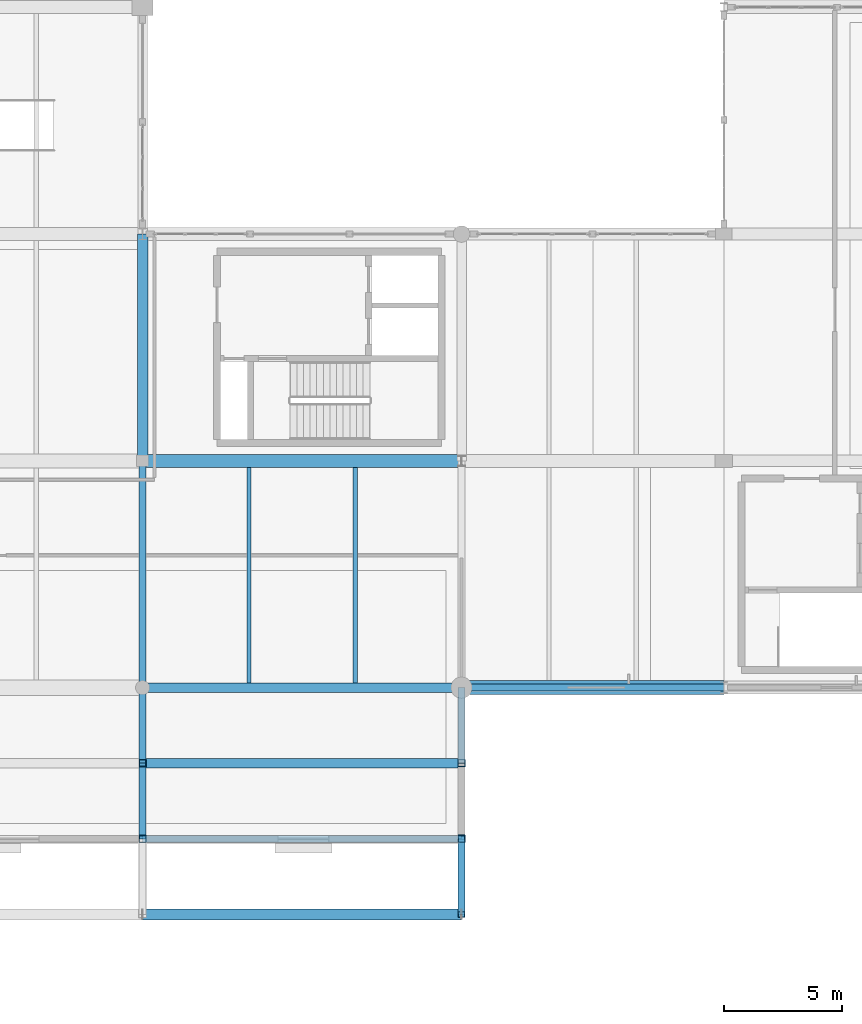
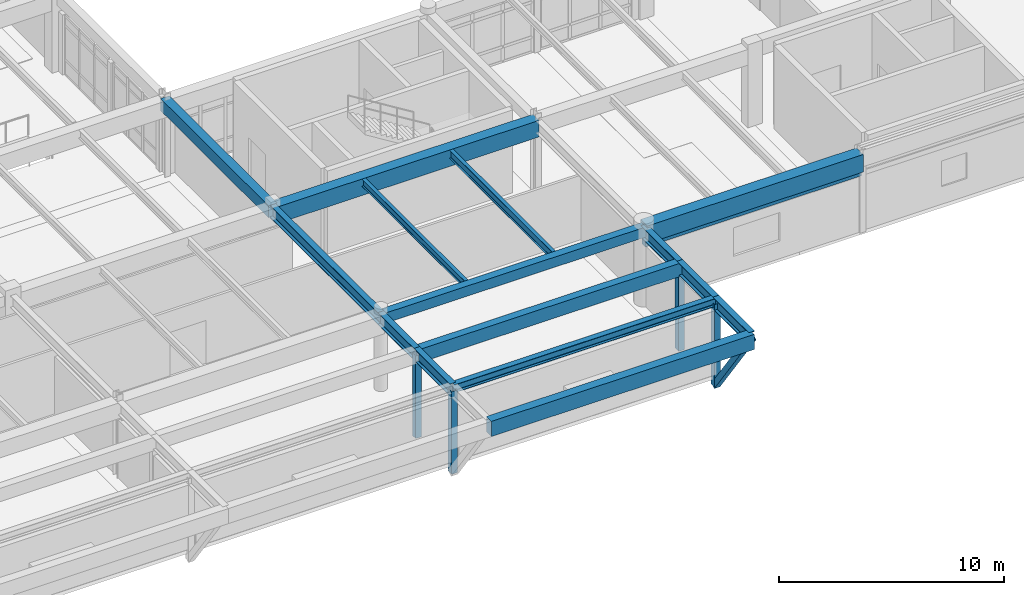
# One storey, part 24 of 80: 16 beams, 5 members.
"""IFC4 building model written with IfcOpenShell, lengths in metres."""

from ifc_helpers import new_model, si_unit, direction, frame, origin, origin_2d, place, context, subcontext, project, spatial, rectangle, hollow_rectangle, i_section, extrude, material, material_profile, profile_set, type_object, element, save


model = new_model("IFC4")

# Units and contexts
model_context = context("Model", 3, precision=1e-05, world=origin(), true_north=direction((0.0, 1.0)))
body_context = subcontext(model_context, "Body", "Model", "MODEL_VIEW")
ifc_project = project(units=[si_unit("LENGTHUNIT", "METRE"), si_unit("AREAUNIT", "SQUARE_METRE"), si_unit("VOLUMEUNIT", "CUBIC_METRE"), si_unit("PLANEANGLEUNIT", "RADIAN"), si_unit("MASSUNIT", "GRAM", prefix="KILO")], contexts=[model_context])

# Site, building, storey
site_placement = place(None, origin())
site = spatial("IfcSite", under=ifc_project, at=site_placement, CompositionType="ELEMENT")
building_placement = place(site_placement, origin())
building = spatial("IfcBuilding", under=site, at=building_placement, Name="Fikremerkos Civic Library", CompositionType="ELEMENT")
storey_placement = place(building_placement, frame((0.0, 0.0, 9.89990234375)))
storey = spatial("IfcBuildingStorey", under=building, at=storey_placement, Name="L02", CompositionType="ELEMENT", Elevation=9.89990234375)

# Beams
ifc_material_1 = material(Name="Steel S355", Category="steel")
ifc_material_profile_1 = material_profile(ifc_material_1, i_section(OverallWidth=0.18994140625, OverallDepth=0.449951171875, WebThickness=0.009521484375, FlangeThickness=0.0146484375, FilletRadius=0.02099609375, at=origin_2d()), Name="IPE 450")
ifc_profile_set_1 = profile_set([ifc_material_profile_1], Name="Steel S355")
beam_type_1 = type_object("IfcBeamType", Name="Floor joist JS-07 IPE 450", PredefinedType="JOIST", material=ifc_profile_set_1)
beam_1_placement = place(storey_placement, frame((109.199951171875, 12.199951171875, 3.93505859375), z_axis=(0.0, 1.0, 0.0), x_axis=(-1.0, 0.0, 0.0)))
element("IfcBeam", 1, at=beam_1_placement, inside=storey, type_object=beam_type_1, Name="Floor joist JS-07 L02 #519", PredefinedType="JOIST", context=body_context, shape_type="SweptSolid", body=[
    extrude(i_section(OverallWidth=0.18994140625, OverallDepth=0.449951171875, WebThickness=0.009521484375, FlangeThickness=0.0146484375, FilletRadius=0.02099609375, at=origin_2d()), origin(), (0.0, 0.0, 1.0), 9.125),
])
ifc_material_profile_2 = material_profile(ifc_material_1, i_section(OverallWidth=0.179931640625, OverallDepth=0.39990234375, WebThickness=0.008544921875, FlangeThickness=0.013427734375, FilletRadius=0.02099609375, at=origin_2d()), Name="IPE 400")
ifc_profile_set_2 = profile_set([ifc_material_profile_2], Name="Steel S355")
beam_type_2 = type_object("IfcBeamType", Name="Floor joist JS-08 IPE 400", PredefinedType="JOIST", material=ifc_profile_set_2)
beam_2_placement = place(storey_placement, frame((104.699951171875, 12.199951171875, 3.960205078125), z_axis=(0.0, 1.0, 0.0), x_axis=(-1.0, 0.0, 0.0)))
element("IfcBeam", 2, at=beam_2_placement, inside=storey, type_object=beam_type_2, Name="Floor joist JS-08 L02 #518", PredefinedType="JOIST", context=body_context, shape_type="SweptSolid", body=[
    extrude(i_section(OverallWidth=0.179931640625, OverallDepth=0.39990234375, WebThickness=0.008544921875, FlangeThickness=0.013427734375, FilletRadius=0.02099609375, at=origin_2d()), origin(), (0.0, 0.0, 1.0), 9.125),
])

# Members
ifc_material_profile_3 = material_profile(ifc_material_1, hollow_rectangle(XDim=0.300048828125, YDim=0.300048828125, WallThickness=0.012451171875, at=origin_2d()), Name="SHS 300x300x12.5")
ifc_profile_set_3 = profile_set([ifc_material_profile_3], Name="Steel S355")
member_type_1 = type_object("IfcMemberType", Name="Frame post PST-01 SHS 300x300x12.5", PredefinedType="POST", material=ifc_profile_set_3)
for number, where, z_axis, x_axis, name in (
    (3, (100.199951171875, 8.800048828125, -0.64501953125), (0.0, 0.0, 1.0), (1.0, 0.0, 0.0), "Cantilever frame post PST-01 L02 X=100.2 Y=8.8"),
    (4, (100.199951171875, 5.60009765625, -0.64501953125), (0.0, 0.0, 1.0), (1.0, 0.0, 0.0), "Cantilever frame post PST-01 L02 X=100.2 Y=5.6"),
    (5, (113.699951171875, 8.800048828125, -0.64501953125), (0.0, 0.0, 1.0), (1.0, 0.0, 0.0), "Cantilever frame post PST-01 L02 X=113.7 Y=8.8"),
    (6, (113.699951171875, 5.60009765625, -0.64501953125), (0.0, 0.0, 1.0), (1.0, 0.0, 0.0), "Cantilever frame post PST-01 L02 X=113.7 Y=5.6"),
):
    element("IfcMember", number, at=place(storey_placement, frame(where, z_axis=z_axis, x_axis=x_axis)), inside=storey, type_object=member_type_1, Name=name, PredefinedType="POST", context=body_context, shape_type="SweptSolid", body=[
        extrude(hollow_rectangle(XDim=0.300048828125, YDim=0.300048828125, WallThickness=0.012451171875, at=origin_2d()), origin(), (0.0, 0.0, 1.0), 4.480224609375),
    ])

# Beams
ifc_material_2 = material(Name="Concrete C40/50", Category="concrete")
ifc_material_profile_4 = material_profile(ifc_material_2, rectangle(XDim=0.300048828125, YDim=0.260009765625, at=origin_2d()), Name="RC 300x260")
ifc_profile_set_4 = profile_set([ifc_material_profile_4], Name="Concrete C40/50")
beam_type_3 = type_object("IfcBeamType", Name="Opening lintel LNT-02 RC 300x260", PredefinedType="LINTEL", material=ifc_profile_set_4)
beam_3_placement = place(storey_placement, frame((124.800048828125, 12.0, 3.150146484375), z_axis=(-1.0, 0.0, 0.0), x_axis=(0.0, -1.0, 0.0)))
element("IfcBeam", 7, at=beam_3_placement, inside=storey, type_object=beam_type_3, Name="Courtyard window head lintel LNT-02 L02 #33", PredefinedType="LINTEL", context=body_context, shape_type="SweptSolid", body=[
    extrude(rectangle(XDim=0.300048828125, YDim=0.260009765625, at=origin_2d()), origin(), (0.0, 0.0, 1.0), 11.10009765625),
])
ifc_material_profile_5 = material_profile(ifc_material_2, rectangle(XDim=0.60009765625, YDim=0.949951171875, at=origin_2d()), Name="RC 600x950")
ifc_profile_set_5 = profile_set([ifc_material_profile_5], Name="Concrete C40/50")
beam_type_4 = type_object("IfcBeamType", Name="Primary girder BM-01 RC 600x950", PredefinedType="BEAM", material=ifc_profile_set_5)
beam_4_placement = place(storey_placement, frame((113.699951171875, 12.0, 3.78515625), z_axis=(1.0, 0.0, 0.0), x_axis=(0.0, 1.0, 0.0)))
element("IfcBeam", 8, at=beam_4_placement, inside=storey, type_object=beam_type_4, Name="Primary girder BM-01 L02 grid E", PredefinedType="BEAM", context=body_context, shape_type="SweptSolid", body=[
    extrude(rectangle(XDim=0.60009765625, YDim=0.949951171875, at=origin_2d()), origin(), (0.0, 0.0, 1.0), 11.10009765625),
])
ifc_material_profile_6 = material_profile(ifc_material_2, rectangle(XDim=0.550048828125, YDim=0.89990234375, at=origin_2d()), Name="RC 550x900")
ifc_profile_set_6 = profile_set([ifc_material_profile_6], Name="Concrete C40/50")
beam_type_5 = type_object("IfcBeamType", Name="Primary girder BM-02 RC 550x900", PredefinedType="BEAM", material=ifc_profile_set_6)
beam_5_placement = place(storey_placement, frame((100.199951171875, 21.60009765625, 3.710205078125), z_axis=(1.0, 0.0, 0.0), x_axis=(0.0, 1.0, 0.0)))
element("IfcBeam", 9, at=beam_5_placement, inside=storey, type_object=beam_type_5, Name="Primary girder BM-02 L02 grid F", PredefinedType="BEAM", context=body_context, shape_type="SweptSolid", body=[
    extrude(rectangle(XDim=0.550048828125, YDim=0.89990234375, at=origin_2d()), origin(), (0.0, 0.0, 1.0), 13.5),
])
ifc_material_profile_7 = material_profile(ifc_material_2, rectangle(XDim=0.449951171875, YDim=0.64990234375, at=origin_2d()), Name="RC 450x650")
ifc_profile_set_7 = profile_set([ifc_material_profile_7], Name="Concrete C40/50")
beam_type_6 = type_object("IfcBeamType", Name="Primary girder BM-07 RC 450x650", PredefinedType="BEAM", material=ifc_profile_set_7)
beam_6_placement = place(storey_placement, frame((100.199951171875, 21.60009765625, 3.835205078125), z_axis=(0.0, 1.0, 0.0), x_axis=(-1.0, 0.0, 0.0)))
element("IfcBeam", 10, at=beam_6_placement, inside=storey, type_object=beam_type_6, Name="Primary girder BM-07 L02 grid 9", PredefinedType="BEAM", context=body_context, shape_type="SweptSolid", body=[
    extrude(rectangle(XDim=0.449951171875, YDim=0.64990234375, at=origin_2d()), origin(), (0.0, 0.0, 1.0), 9.599853515625),
])
ifc_material_profile_8 = material_profile(ifc_material_1, i_section(OverallWidth=0.300048828125, OverallDepth=0.64990234375, WebThickness=0.01611328125, FlangeThickness=0.031005859375, FilletRadius=0.027099609375, at=origin_2d()), Name="HEB 650")
ifc_profile_set_8 = profile_set([ifc_material_profile_8], Name="Steel S355")
beam_type_7 = type_object("IfcBeamType", Name="Primary girder BM-12 HEB 650", PredefinedType="BEAM", material=ifc_profile_set_8)
beam_7_placement = place(storey_placement, frame((100.199951171875, 12.0, 3.835205078125), z_axis=(0.0, 1.0, 0.0), x_axis=(-1.0, 0.0, 0.0)))
element("IfcBeam", 11, at=beam_7_placement, inside=storey, type_object=beam_type_7, Name="Primary girder BM-12 L02 grid 9", PredefinedType="BEAM", context=body_context, shape_type="SweptSolid", body=[
    extrude(i_section(OverallWidth=0.300048828125, OverallDepth=0.64990234375, WebThickness=0.01611328125, FlangeThickness=0.031005859375, FilletRadius=0.027099609375, at=origin_2d()), origin(), (0.0, 0.0, 1.0), 9.60009765625),
])
for number, where, z_axis, x_axis, name in (
    (12, (100.199951171875, 12.0, 3.835205078125), (0.0, -1.0, 0.0), (1.0, 0.0, 0.0), "Cantilever girder BM-12 L02 X=100.2 #1"),
    (13, (100.199951171875, 8.800048828125, 3.835205078125), (0.0, -1.0, 0.0), (1.0, 0.0, 0.0), "Cantilever girder BM-12 L02 X=100.2 #2"),
    (14, (113.699951171875, 12.0, 3.835205078125), (0.0, -1.0, 0.0), (1.0, 0.0, 0.0), "Cantilever girder BM-12 L02 X=113.7 #1"),
    (15, (113.699951171875, 8.800048828125, 3.835205078125), (0.0, -1.0, 0.0), (1.0, 0.0, 0.0), "Cantilever girder BM-12 L02 X=113.7 #2"),
):
    element("IfcBeam", number, at=place(storey_placement, frame(where, z_axis=z_axis, x_axis=x_axis)), inside=storey, type_object=beam_type_7, Name=name, PredefinedType="BEAM", context=body_context, shape_type="SweptSolid", body=[
        extrude(i_section(OverallWidth=0.300048828125, OverallDepth=0.64990234375, WebThickness=0.01611328125, FlangeThickness=0.031005859375, FilletRadius=0.027099609375, at=origin_2d()), origin(), (0.0, 0.0, 1.0), 3.199951171875),
    ])
beam_8_placement = place(storey_placement, frame((113.699951171875, 5.60009765625, 3.835205078125), z_axis=(0.0, -1.0, 0.0), x_axis=(1.0, 0.0, 0.0)))
element("IfcBeam", 16, at=beam_8_placement, inside=storey, type_object=beam_type_7, Name="Cantilever girder BM-12 L02 X=113.7 #3", PredefinedType="BEAM", context=body_context, shape_type="SweptSolid", body=[
    extrude(i_section(OverallWidth=0.300048828125, OverallDepth=0.64990234375, WebThickness=0.01611328125, FlangeThickness=0.031005859375, FilletRadius=0.027099609375, at=origin_2d()), origin(), (0.0, 0.0, 1.0), 3.2001953125),
])
ifc_material_profile_9 = material_profile(ifc_material_2, rectangle(XDim=0.39990234375, YDim=0.550048828125, at=origin_2d()), Name="RC 400x550")
ifc_profile_set_9 = profile_set([ifc_material_profile_9], Name="Concrete C40/50")
beam_type_8 = type_object("IfcBeamType", Name="Primary girder BM-26 RC 400x550", PredefinedType="BEAM", material=ifc_profile_set_9)
beam_9_placement = place(storey_placement, frame((100.199951171875, 12.0, 3.885009765625), z_axis=(1.0, 0.0, 0.0), x_axis=(0.0, 1.0, 0.0)))
element("IfcBeam", 17, at=beam_9_placement, inside=storey, type_object=beam_type_8, Name="Primary girder BM-26 L02 grid E", PredefinedType="BEAM", context=body_context, shape_type="SweptSolid", body=[
    extrude(rectangle(XDim=0.39990234375, YDim=0.550048828125, at=origin_2d()), origin(), (0.0, 0.0, 1.0), 13.5),
])

# Member
ifc_material_profile_10 = material_profile(ifc_material_1, hollow_rectangle(XDim=0.300048828125, YDim=0.300048828125, WallThickness=0.01611328125, at=origin_2d()), Name="SHS 300x300x16")
ifc_profile_set_10 = profile_set([ifc_material_profile_10], Name="Steel S355")
member_type_2 = type_object("IfcMemberType", Name="Raking strut STR-02 SHS 300x300x16", PredefinedType="STRUT", material=ifc_profile_set_10)
member_placement = place(storey_placement, frame((113.699951171875, 5.60009765625, -0.64501953125), z_axis=(0.0, -0.581242388279, 0.813730475076), x_axis=(1.0, 0.0, 0.0)))
element("IfcMember", 18, at=member_placement, inside=storey, type_object=member_type_2, Name="Raking cantilever strut STR-02 L02 X=113.7", PredefinedType="STRUT", context=body_context, shape_type="SweptSolid", body=[
    extrude(hollow_rectangle(XDim=0.300048828125, YDim=0.300048828125, WallThickness=0.01611328125, at=origin_2d()), origin(), (0.0, 0.0, 1.0), 5.505859375),
])

# Beams
ifc_material_profile_11 = material_profile(ifc_material_2, rectangle(XDim=0.449951171875, YDim=0.820068359375, at=origin_2d()), Name="RC 450x820")
ifc_profile_set_11 = profile_set([ifc_material_profile_11], Name="Concrete C40/50")
beam_type_9 = type_object("IfcBeamType", Name="Spandrel edge beam SPB-02 RC 450x820", PredefinedType="SPANDREL", material=ifc_profile_set_11)
beam_10_placement = place(storey_placement, frame((100.199951171875, 2.39990234375, 3.75), z_axis=(1.0, 0.0, 0.0), x_axis=(0.0, 1.0, 0.0)))
element("IfcBeam", 19, at=beam_10_placement, inside=storey, type_object=beam_type_9, Name="Spandrel edge beam SPB-02 L02 Y=2.4 bay 7", PredefinedType="SPANDREL", context=body_context, shape_type="SweptSolid", body=[
    extrude(rectangle(XDim=0.449951171875, YDim=0.820068359375, at=origin_2d()), origin(), (0.0, 0.0, 1.0), 13.5),
])
ifc_material_profile_12 = material_profile(ifc_material_2, rectangle(XDim=0.39990234375, YDim=0.719970703125, at=origin_2d()), Name="RC 400x720")
ifc_profile_set_12 = profile_set([ifc_material_profile_12], Name="Concrete C40/50")
beam_type_10 = type_object("IfcBeamType", Name="Spandrel edge beam SPB-03 RC 400x720", PredefinedType="SPANDREL", material=ifc_profile_set_12)
beam_11_placement = place(storey_placement, frame((100.199951171875, 8.800048828125, 3.800048828125), z_axis=(1.0, 0.0, 0.0), x_axis=(0.0, 1.0, 0.0)))
element("IfcBeam", 20, at=beam_11_placement, inside=storey, type_object=beam_type_10, Name="Spandrel edge beam SPB-03 L02 Y=8.8 bay 7", PredefinedType="SPANDREL", context=body_context, shape_type="SweptSolid", body=[
    extrude(rectangle(XDim=0.39990234375, YDim=0.719970703125, at=origin_2d()), origin(), (0.0, 0.0, 1.0), 13.5),
])
ifc_material_profile_13 = material_profile(ifc_material_1, i_section(OverallWidth=0.300048828125, OverallDepth=0.43994140625, WebThickness=0.011474609375, FlangeThickness=0.02099609375, FilletRadius=0.027099609375, at=origin_2d()), Name="HEA 450")
ifc_profile_set_13 = profile_set([ifc_material_profile_13], Name="Steel S355")
beam_type_11 = type_object("IfcBeamType", Name="Spandrel edge beam SPB-05 HEA 450", PredefinedType="SPANDREL", material=ifc_profile_set_13)
beam_12_placement = place(storey_placement, frame((100.199951171875, 5.60009765625, 3.940185546875), z_axis=(1.0, 0.0, 0.0), x_axis=(0.0, 1.0, 0.0)))
element("IfcBeam", 21, at=beam_12_placement, inside=storey, type_object=beam_type_11, Name="Spandrel edge beam SPB-05 L02 Y=5.6 bay 7", PredefinedType="SPANDREL", context=body_context, shape_type="SweptSolid", body=[
    extrude(i_section(OverallWidth=0.300048828125, OverallDepth=0.43994140625, WebThickness=0.011474609375, FlangeThickness=0.02099609375, FilletRadius=0.027099609375, at=origin_2d()), origin(), (0.0, 0.0, 1.0), 13.5),
])

save(model, "model.ifc")
